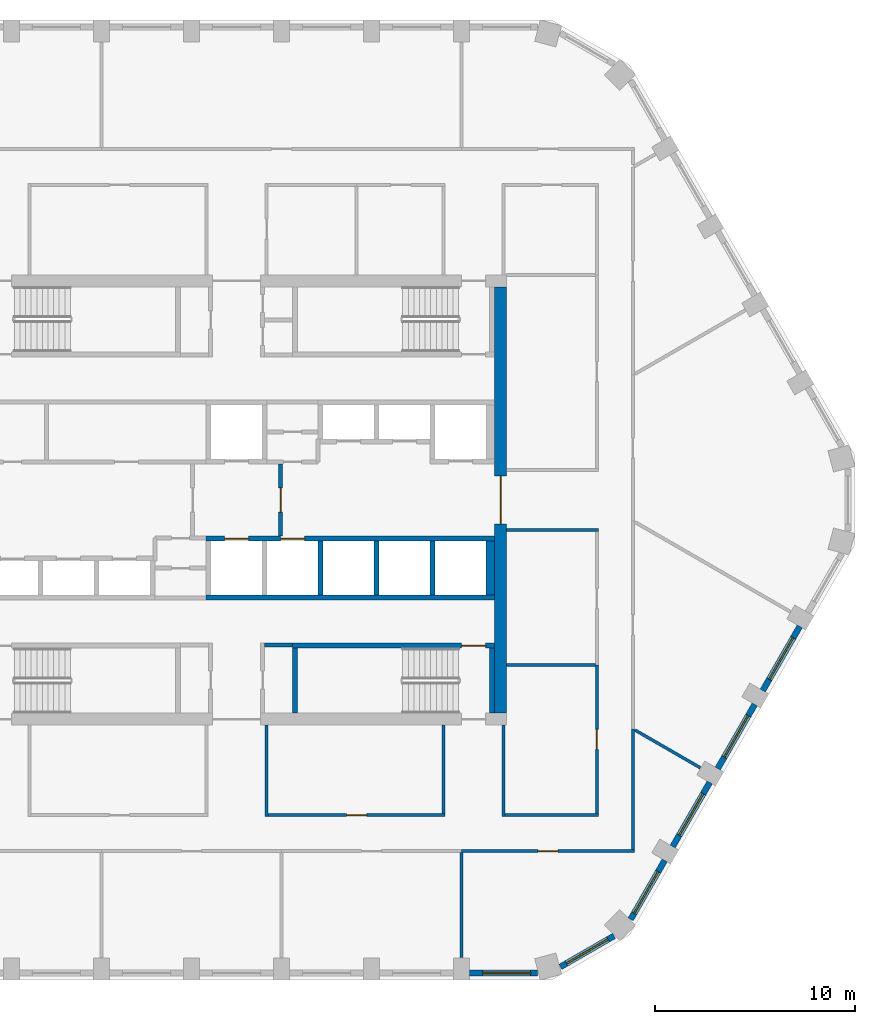
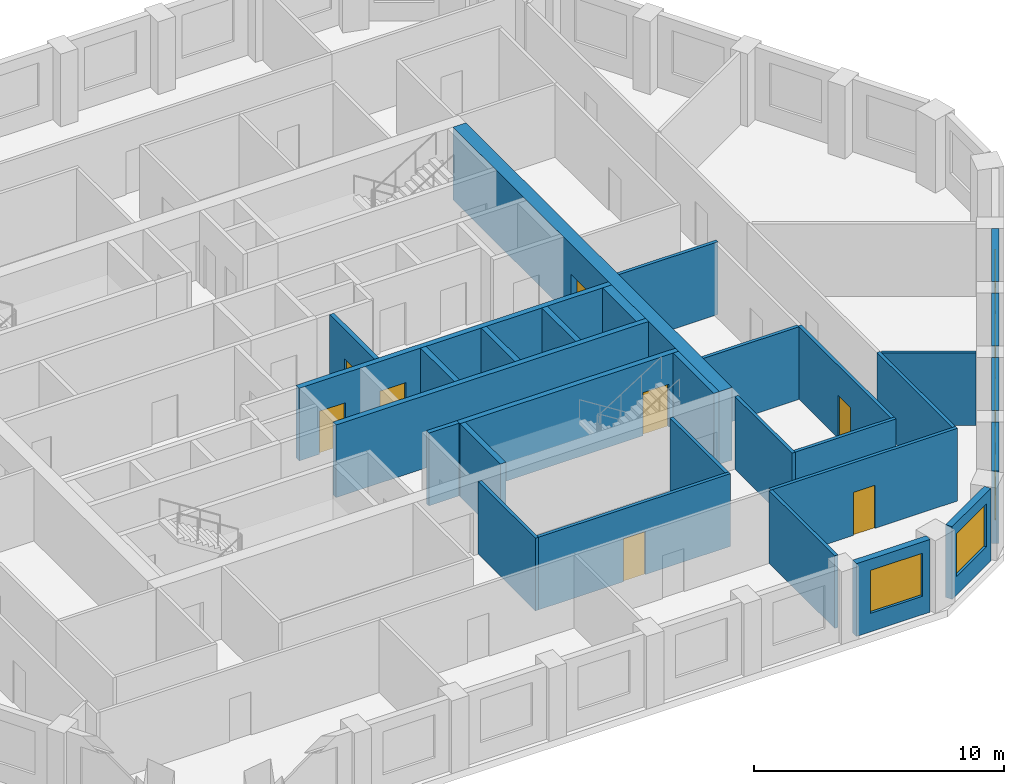
# One storey, part 4 of 9: 30 walls, 8 doors, 6 windows, 14 openings.
"""IFC4 building model written with IfcOpenShell, lengths in metres."""

import ifcopenshell
import ifcopenshell.guid

model = None  # the IFC model being written
_history = None  # IfcOwnerHistory: only IFC2X3 demands one
_inside = {}  # id of a spatial element -> (the spatial element, [elements in it])
_under = {}  # id of a project, library or spatial element -> (it, [spatial elements below it])
_declared = {}  # id of a project -> (the project, [libraries it declares])
_typed = {}  # id of a type object -> (the type object, [elements of that type])
_made_of = {}  # id of a material, layer set ... -> (it, [elements and type objects made of it])


def new_model(schema):
    """Start an empty IFC model of exactly this schema.

    Asked for "IFC4X3", IfcOpenShell would pick the latest addendum, in which some entities
    have other attributes; the version numbers below select the first issue.
    IFC2X3 requires an IfcOwnerHistory on every rooted entity: one is made here for all.
    """
    global model, _history
    if schema == "IFC4X3":
        model = ifcopenshell.file(schema_version=(4, 3, 0, 0))
    else:
        model = ifcopenshell.file(schema=schema)
    _inside.clear()
    _under.clear()
    _declared.clear()
    _typed.clear()
    _made_of.clear()
    _history = None
    if model.schema == "IFC2X3":
        org = make("IfcOrganization", Name="unknown")
        user = make(
            "IfcPersonAndOrganization",
            ThePerson=make("IfcPerson", FamilyName="unknown"),
            TheOrganization=org,
        )
        app = make(
            "IfcApplication",
            ApplicationDeveloper=org,
            Version="unknown",
            ApplicationFullName="unknown",
            ApplicationIdentifier="unknown",
        )
        _history = make(
            "IfcOwnerHistory",
            OwningUser=user,
            OwningApplication=app,
            ChangeAction="ADDED",
            CreationDate=0,
        )
    return model


def make(cls, **values):
    """One entity of the class cls with the attributes given. An attribute that is None is left unset."""
    return model.create_entity(
        cls, **{name: value for name, value in values.items() if value is not None}
    )


def rooted(cls, **values):
    """An entity with a GlobalId (a new one), such as an element, a storey or a relation."""
    return make(cls, GlobalId=ifcopenshell.guid.new(), OwnerHistory=_history, **values)


def si_unit(unit_type, name, prefix=None):
    """IfcSIUnit, for example si_unit("LENGTHUNIT", "METRE", prefix="MILLI")."""
    return make("IfcSIUnit", UnitType=unit_type, Prefix=prefix, Name=name)


def assignment(units):
    """IfcUnitAssignment: the units of a project."""
    return None if units is None else make("IfcUnitAssignment", Units=units)


def point(xyz):
    """IfcCartesianPoint."""
    return None if xyz is None else make("IfcCartesianPoint", Coordinates=xyz)


def direction(xyz):
    """IfcDirection."""
    return None if xyz is None else make("IfcDirection", DirectionRatios=xyz)


def frame(location, z_axis=None, x_axis=None):
    """IfcAxis2Placement3D, a coordinate frame: its origin and axes. An axis left out is left unset."""
    return make(
        "IfcAxis2Placement3D",
        Location=point(location),
        Axis=direction(z_axis),
        RefDirection=direction(x_axis),
    )


def frame_2d(location, x_axis=None):
    """IfcAxis2Placement2D, a coordinate frame in the plane: its origin and x axis."""
    return make(
        "IfcAxis2Placement2D", Location=point(location), RefDirection=direction(x_axis)
    )


def origin():
    """The frame at (0, 0, 0) with its axes left unset."""
    return frame((0.0, 0.0, 0.0))


def place(relative_to, where):
    """IfcLocalPlacement: puts the frame where relative to a parent placement (None: the world)."""
    return make(
        "IfcLocalPlacement", PlacementRelTo=relative_to, RelativePlacement=where
    )


def context(
    kind, dimensions, precision=None, world=None, true_north=None, identifier=None
):
    """IfcGeometricRepresentationContext, for example the 3D "Model" context."""
    return make(
        "IfcGeometricRepresentationContext",
        ContextIdentifier=identifier,
        ContextType=kind,
        CoordinateSpaceDimension=dimensions,
        Precision=precision,
        WorldCoordinateSystem=world,
        TrueNorth=true_north,
    )


def subcontext(parent, identifier, kind, view, scale=None):
    """IfcGeometricRepresentationSubContext, for example "Body" below "Model"."""
    return make(
        "IfcGeometricRepresentationSubContext",
        ContextIdentifier=identifier,
        ContextType=kind,
        ParentContext=parent,
        TargetScale=scale,
        TargetView=view,
    )


def project(units=None, contexts=None):
    """IfcProject with its units and contexts."""
    return rooted(
        "IfcProject",
        Name="project",
        RepresentationContexts=contexts,
        UnitsInContext=assignment(units),
    )


def spatial(cls, under=None, at=None, **own):
    """A site, building, storey or space (cls), placed at a placement, below another one or the project."""
    s = rooted(cls, ObjectPlacement=at, **own)
    if under is not None:
        _under.setdefault(under.id(), (under, []))[1].append(s)
    return s


def polyline(points):
    """IfcPolyline through the points."""
    return make("IfcPolyline", Points=[point(p) for p in points])


def profile(cls, at=None, kind="AREA", **sizes):
    """A parametric profile (cls). Its sizes go by their IFC names, for example OverallWidth=200.0."""
    return make(cls, ProfileType=kind, Position=at, **sizes)


def rectangle(**sizes):
    """IfcRectangleProfileDef."""
    return profile("IfcRectangleProfileDef", **sizes)


def outline(outer, holes=None, kind="AREA"):
    """IfcArbitraryClosedProfileDef: a profile drawn as a closed curve; with holes, ...WithVoids."""
    if holes is None:
        return make("IfcArbitraryClosedProfileDef", ProfileType=kind, OuterCurve=outer)
    return make(
        "IfcArbitraryProfileDefWithVoids",
        ProfileType=kind,
        OuterCurve=outer,
        InnerCurves=holes,
    )


def extrude(swept, where, along, depth):
    """IfcExtrudedAreaSolid: the profile swept, set in the frame where, extruded along a direction by depth."""
    return make(
        "IfcExtrudedAreaSolid",
        SweptArea=swept,
        Position=where,
        ExtrudedDirection=direction(along),
        Depth=depth,
    )


def shape(context_of_items, identifier, shape_type, items):
    """IfcShapeRepresentation: the items that make up one representation, for example the "Body"."""
    return make(
        "IfcShapeRepresentation",
        ContextOfItems=context_of_items,
        RepresentationIdentifier=identifier,
        RepresentationType=shape_type,
        Items=items,
    )


def material(Name=None, Category=None):
    """IfcMaterial."""
    return make("IfcMaterial", Name=Name, Category=Category)


def layer(
    of_material, thickness, ventilated=None, Name=None, Category=None, Priority=None
):
    """IfcMaterialLayer: one layer of a wall or slab, of a material (None: an air gap)."""
    return make(
        "IfcMaterialLayer",
        Material=of_material,
        LayerThickness=thickness,
        IsVentilated=ventilated,
        Name=Name,
        Category=Category,
        Priority=Priority,
    )


def layer_set(layers, Name=None):
    """IfcMaterialLayerSet."""
    return make("IfcMaterialLayerSet", MaterialLayers=layers, LayerSetName=Name)


def made_of(thing, what):
    """Note that an element or type object is made of a material, layer set ...; save() writes the relation."""
    if what is not None:
        _made_of.setdefault(what.id(), (what, []))[1].append(thing)
    return thing


def type_object(cls, material=None, **own):
    """A type object (cls), such as IfcWallType, which elements share."""
    return made_of(rooted(cls, **own), material)


def element(
    cls,
    number,
    at=None,
    inside=None,
    cuts=None,
    type_object=None,
    material=None,
    context=None,
    identifier="Body",
    shape_type=None,
    held_by="IfcProductDefinitionShape",
    body=None,
    shapes=None,
    **own,
):
    """One element of the class cls, such as IfcWall. Its Tag is "e" and its number.

    at: its placement. inside: the storey or other place that contains it. cuts: it is an
    opening in that element (IfcRelVoidsElement). A single representation is given by context,
    identifier, shape_type and body (its items); several are given by shapes. held_by: the class
    of the entity that holds the representations. save() writes the other relations.
    """
    e = rooted(cls, Tag="e%d" % number, ObjectPlacement=at, **own)
    if body is not None:
        shapes = [shape(context, identifier, shape_type, body)]
    if shapes is not None:
        e.Representation = make(held_by, Representations=shapes)
    if inside is not None:
        _inside.setdefault(inside.id(), (inside, []))[1].append(e)
    if cuts is not None:
        rooted(
            "IfcRelVoidsElement", RelatingBuildingElement=cuts, RelatedOpeningElement=e
        )
    if type_object is not None:
        _typed.setdefault(type_object.id(), (type_object, []))[1].append(e)
    return made_of(e, material)


def fill(opening, filler):
    """IfcRelFillsElement: the door or window that sits in an opening."""
    return rooted(
        "IfcRelFillsElement",
        RelatingOpeningElement=opening,
        RelatedBuildingElement=filler,
    )


def aggregate(whole, parts):
    """IfcRelAggregates: a whole, such as a stair, and the parts it consists of."""
    return rooted("IfcRelAggregates", RelatingObject=whole, RelatedObjects=parts)


def save(model, path):
    """Write the relations noted so far, then the file.

    IfcRelAggregates (storeys below a building ...), IfcRelContainedInSpatialStructure (elements
    in a storey), IfcRelDefinesByType, IfcRelAssociatesMaterial and IfcRelDeclares: one each for
    every whole, place, type object, material and project.
    """
    for whole, parts in _under.values():
        aggregate(whole, parts)
    for where, things in _inside.values():
        rooted(
            "IfcRelContainedInSpatialStructure",
            RelatedElements=things,
            RelatingStructure=where,
        )
    for kind, things in _typed.values():
        rooted("IfcRelDefinesByType", RelatedObjects=things, RelatingType=kind)
    for what, things in _made_of.values():
        rooted("IfcRelAssociatesMaterial", RelatedObjects=things, RelatingMaterial=what)
    for by, libraries in _declared.values():
        rooted("IfcRelDeclares", RelatingContext=by, RelatedDefinitions=libraries)
    model.write(path)


model = new_model("IFC4")

# Units and contexts
model_context = context("Model", 3, precision=1e-05, world=origin(), true_north=direction((0.0, 1.0)))
body_context = subcontext(model_context, "Body", "Model", "MODEL_VIEW")
ifc_project = project(units=[si_unit("LENGTHUNIT", "METRE"), si_unit("AREAUNIT", "SQUARE_METRE"), si_unit("VOLUMEUNIT", "CUBIC_METRE"), si_unit("PLANEANGLEUNIT", "RADIAN"), si_unit("MASSUNIT", "GRAM", prefix="KILO")], contexts=[model_context])

# Site, building, storey
site_placement = place(None, origin())
site = spatial("IfcSite", under=ifc_project, at=site_placement, CompositionType="ELEMENT")
building_placement = place(site_placement, origin())
building = spatial("IfcBuilding", under=site, at=building_placement, Name="Dhurran Vertical Campus", CompositionType="ELEMENT")
storey_placement = place(building_placement, frame((0.0, 0.0, 199.5)))
storey = spatial("IfcBuildingStorey", under=building, at=storey_placement, Name="L49", CompositionType="ELEMENT", Elevation=199.5)

# Wall, opening, window
ifc_material_1 = material(Name="Precast concrete C50/60", Category="concrete")
ifc_layer_1 = layer(ifc_material_1, 0.300048828125)
ifc_layer_set_1 = layer_set([ifc_layer_1], Name="Precast concrete C50/60")
wall_type_1 = type_object("IfcWallType", Name="Precast spandrel wall 300", PredefinedType="SOLIDWALL", material=ifc_layer_set_1)
wall_1_placement = place(storey_placement, frame((11.650390625, -23.635498046875, 0.0), z_axis=(0.0, 0.0, 1.0), x_axis=(1.0, 0.0, 0.0)))
wall_1 = element("IfcWall", 1, at=wall_1_placement, inside=storey, type_object=wall_type_1, Name="EW1 L49.06", PredefinedType="SOLIDWALL", context=body_context, shape_type="SweptSolid", body=[
    extrude(rectangle(XDim=3.39599609375, YDim=0.300048828125, at=frame_2d((1.697998046875, 0.0))), origin(), (0.0, 0.0, 1.0), 3.550048828125),
])
opening_1_placement = place(wall_1_placement, frame((0.6494140625, 0.0, 0.89990234375)))
opening_1 = element("IfcOpeningElement", 2, at=opening_1_placement, cuts=wall_1, Name="Opening WT1", PredefinedType="OPENING", context=body_context, shape_type="SweptSolid", body=[
    extrude(rectangle(XDim=2.39990234375, YDim=2.10009765625, at=frame_2d((1.199951171875, 1.050048828125))), frame((0.0, 0.159912109375, 0.0), z_axis=(0.0, -1.0, 0.0), x_axis=(1.0, 0.0, 0.0)), (0.0, 0.0, 1.0), 0.320068359375),
])
ifc_material_2 = material(Name="Aluminium frame with solar-control glass", Category="aluminium")
window_type = type_object("IfcWindowType", Name="Punched window 2400 x 2100", PartitioningType="SINGLE_PANEL", PredefinedType="WINDOW", material=ifc_material_2)
window_1_placement = place(opening_1_placement, origin())
window_1 = element("IfcWindow", 3, at=window_1_placement, inside=storey, type_object=window_type, Name="WT1 L49.06", OverallHeight=2.10009765625, OverallWidth=2.39990234375, PartitioningType="SINGLE_PANEL", PredefinedType="WINDOW", context=body_context, shape_type="SweptSolid", body=[
    extrude(rectangle(XDim=2.39990234375, YDim=2.10009765625, at=frame_2d((1.199951171875, 1.050048828125))), frame((0.0, 0.030029296875, 0.0), z_axis=(0.0, -1.0, 0.0), x_axis=(1.0, 0.0, 0.0)), (0.0, 0.0, 1.0), 0.06005859375),
])
fill(opening_1, window_1)

wall_2_placement = place(storey_placement, frame((16.184326171875, -23.330810546875, 0.0), z_axis=(0.0, 0.0, 1.0), x_axis=(0.865994975416, 0.500052699777, 0.0)))
wall_2 = element("IfcWall", 4, at=wall_2_placement, inside=storey, type_object=wall_type_1, Name="EW1 L49.07", PredefinedType="SOLIDWALL", context=body_context, shape_type="SweptSolid", body=[
    extrude(rectangle(XDim=3.093017578125, YDim=0.300048828125, at=frame_2d((1.54638671875, 0.0))), origin(), (0.0, 0.0, 1.0), 3.550048828125),
])
opening_2_placement = place(wall_2_placement, frame((0.346435546875, 0.0, 0.89990234375)))
opening_2 = element("IfcOpeningElement", 5, at=opening_2_placement, cuts=wall_2, Name="Opening WT1", PredefinedType="OPENING", context=body_context, shape_type="SweptSolid", body=[
    extrude(rectangle(XDim=2.39990234375, YDim=2.10009765625, at=frame_2d((1.199951171875, 1.050048828125))), frame((0.0, 0.159912109375, 0.0), z_axis=(0.0, -1.0, 0.0), x_axis=(1.0, 0.0, 0.0)), (0.0, 0.0, 1.0), 0.320068359375),
])
window_2_placement = place(opening_2_placement, origin())
window_2 = element("IfcWindow", 6, at=window_2_placement, inside=storey, type_object=window_type, Name="WT1 L49.07", OverallHeight=2.10009765625, OverallWidth=2.39990234375, PartitioningType="SINGLE_PANEL", PredefinedType="WINDOW", context=body_context, shape_type="SweptSolid", body=[
    extrude(rectangle(XDim=2.39990234375, YDim=2.10009765625, at=frame_2d((1.199951171875, 1.050048828125))), frame((0.0, 0.030029296875, 0.0), z_axis=(0.0, -1.0, 0.0), x_axis=(1.0, 0.0, 0.0)), (0.0, 0.0, 1.0), 0.06005859375),
])
fill(opening_2, window_2)

wall_3_placement = place(storey_placement, frame((19.69580078125, -20.951171875, 0.0), z_axis=(0.0, 0.0, 1.0), x_axis=(0.500012868213, 0.866017974191, 0.0)))
wall_3 = element("IfcWall", 7, at=wall_3_placement, inside=storey, type_object=wall_type_1, Name="EW1 L49.08", PredefinedType="SOLIDWALL", context=body_context, shape_type="SweptSolid", body=[
    extrude(rectangle(XDim=3.39599609375, YDim=0.300048828125, at=frame_2d((1.697998046875, 0.0))), origin(), (0.0, 0.0, 1.0), 3.550048828125),
])
opening_3_placement = place(wall_3_placement, frame((0.346435546875, 0.0, 0.89990234375)))
opening_3 = element("IfcOpeningElement", 8, at=opening_3_placement, cuts=wall_3, Name="Opening WT1", PredefinedType="OPENING", context=body_context, shape_type="SweptSolid", body=[
    extrude(rectangle(XDim=2.39990234375, YDim=2.10009765625, at=frame_2d((1.199951171875, 1.050048828125))), frame((0.0, 0.159912109375, 0.0), z_axis=(0.0, -1.0, 0.0), x_axis=(1.0, 0.0, 0.0)), (0.0, 0.0, 1.0), 0.320068359375),
])
window_3_placement = place(opening_3_placement, origin())
window_3 = element("IfcWindow", 9, at=window_3_placement, inside=storey, type_object=window_type, Name="WT1 L49.08", OverallHeight=2.10009765625, OverallWidth=2.39990234375, PartitioningType="SINGLE_PANEL", PredefinedType="WINDOW", context=body_context, shape_type="SweptSolid", body=[
    extrude(rectangle(XDim=2.39990234375, YDim=2.10009765625, at=frame_2d((1.199951171875, 1.050048828125))), frame((0.0, 0.030029296875, 0.0), z_axis=(0.0, -1.0, 0.0), x_axis=(1.0, 0.0, 0.0)), (0.0, 0.0, 1.0), 0.06005859375),
])
fill(opening_3, window_3)

wall_4_placement = place(storey_placement, frame((21.794189453125, -17.316650390625, 0.0), z_axis=(0.0, 0.0, 1.0), x_axis=(0.500029062817, 0.866008623709, 0.0)))
wall_4 = element("IfcWall", 10, at=wall_4_placement, inside=storey, type_object=wall_type_1, Name="EW1 L49.09", PredefinedType="SOLIDWALL", context=body_context, shape_type="SweptSolid", body=[
    extrude(rectangle(XDim=3.698974609375, YDim=0.300048828125, at=frame_2d((1.849609375, 0.0))), origin(), (0.0, 0.0, 1.0), 3.550048828125),
])
opening_4_placement = place(wall_4_placement, frame((0.6494140625, 0.0, 0.89990234375)))
opening_4 = element("IfcOpeningElement", 11, at=opening_4_placement, cuts=wall_4, Name="Opening WT1", PredefinedType="OPENING", context=body_context, shape_type="SweptSolid", body=[
    extrude(rectangle(XDim=2.39990234375, YDim=2.10009765625, at=frame_2d((1.199951171875, 1.050048828125))), frame((0.0, 0.159912109375, 0.0), z_axis=(0.0, -1.0, 0.0), x_axis=(1.0, 0.0, 0.0)), (0.0, 0.0, 1.0), 0.320068359375),
])
window_4_placement = place(opening_4_placement, origin())
window_4 = element("IfcWindow", 12, at=window_4_placement, inside=storey, type_object=window_type, Name="WT1 L49.09", OverallHeight=2.10009765625, OverallWidth=2.39990234375, PartitioningType="SINGLE_PANEL", PredefinedType="WINDOW", context=body_context, shape_type="SweptSolid", body=[
    extrude(rectangle(XDim=2.39990234375, YDim=2.10009765625, at=frame_2d((1.199951171875, 1.050048828125))), frame((0.0, 0.030029296875, 0.0), z_axis=(0.0, -1.0, 0.0), x_axis=(1.0, 0.0, 0.0)), (0.0, 0.0, 1.0), 0.06005859375),
])
fill(opening_4, window_4)

wall_5_placement = place(storey_placement, frame((24.044189453125, -13.41943359375, 0.0), z_axis=(0.0, 0.0, 1.0), x_axis=(0.500029062817, 0.866008623709, 0.0)))
wall_5 = element("IfcWall", 13, at=wall_5_placement, inside=storey, type_object=wall_type_1, Name="EW1 L49.10", PredefinedType="SOLIDWALL", context=body_context, shape_type="SweptSolid", body=[
    extrude(rectangle(XDim=3.698974609375, YDim=0.300048828125, at=frame_2d((1.849609375, 0.0))), origin(), (0.0, 0.0, 1.0), 3.550048828125),
])
opening_5_placement = place(wall_5_placement, frame((0.6494140625, 0.0, 0.89990234375)))
opening_5 = element("IfcOpeningElement", 14, at=opening_5_placement, cuts=wall_5, Name="Opening WT1", PredefinedType="OPENING", context=body_context, shape_type="SweptSolid", body=[
    extrude(rectangle(XDim=2.39990234375, YDim=2.10009765625, at=frame_2d((1.199951171875, 1.050048828125))), frame((0.0, 0.159912109375, 0.0), z_axis=(0.0, -1.0, 0.0), x_axis=(1.0, 0.0, 0.0)), (0.0, 0.0, 1.0), 0.320068359375),
])
window_5_placement = place(opening_5_placement, origin())
window_5 = element("IfcWindow", 15, at=window_5_placement, inside=storey, type_object=window_type, Name="WT1 L49.10", OverallHeight=2.10009765625, OverallWidth=2.39990234375, PartitioningType="SINGLE_PANEL", PredefinedType="WINDOW", context=body_context, shape_type="SweptSolid", body=[
    extrude(rectangle(XDim=2.39990234375, YDim=2.10009765625, at=frame_2d((1.199951171875, 1.050048828125))), frame((0.0, 0.030029296875, 0.0), z_axis=(0.0, -1.0, 0.0), x_axis=(1.0, 0.0, 0.0)), (0.0, 0.0, 1.0), 0.06005859375),
])
fill(opening_5, window_5)

wall_6_placement = place(storey_placement, frame((26.294189453125, -9.5224609375, 0.0), z_axis=(0.0, 0.0, 1.0), x_axis=(0.500029062817, 0.866008623709, 0.0)))
wall_6 = element("IfcWall", 16, at=wall_6_placement, inside=storey, type_object=wall_type_1, Name="EW1 L49.11", PredefinedType="SOLIDWALL", context=body_context, shape_type="SweptSolid", body=[
    extrude(rectangle(XDim=3.698974609375, YDim=0.300048828125, at=frame_2d((1.849609375, 0.0))), origin(), (0.0, 0.0, 1.0), 3.550048828125),
])
opening_6_placement = place(wall_6_placement, frame((0.6494140625, 0.0, 0.89990234375)))
opening_6 = element("IfcOpeningElement", 17, at=opening_6_placement, cuts=wall_6, Name="Opening WT1", PredefinedType="OPENING", context=body_context, shape_type="SweptSolid", body=[
    extrude(rectangle(XDim=2.39990234375, YDim=2.10009765625, at=frame_2d((1.199951171875, 1.050048828125))), frame((0.0, 0.159912109375, 0.0), z_axis=(0.0, -1.0, 0.0), x_axis=(1.0, 0.0, 0.0)), (0.0, 0.0, 1.0), 0.320068359375),
])
window_6_placement = place(opening_6_placement, origin())
window_6 = element("IfcWindow", 18, at=window_6_placement, inside=storey, type_object=window_type, Name="WT1 L49.11", OverallHeight=2.10009765625, OverallWidth=2.39990234375, PartitioningType="SINGLE_PANEL", PredefinedType="WINDOW", context=body_context, shape_type="SweptSolid", body=[
    extrude(rectangle(XDim=2.39990234375, YDim=2.10009765625, at=frame_2d((1.199951171875, 1.050048828125))), frame((0.0, 0.030029296875, 0.0), z_axis=(0.0, -1.0, 0.0), x_axis=(1.0, 0.0, 0.0)), (0.0, 0.0, 1.0), 0.06005859375),
])
fill(opening_6, window_6)

# Wall, opening, door
ifc_material_3 = material(Name="Concrete C50/60", Category="concrete")
ifc_layer_2 = layer(ifc_material_3, 0.60009765625)
ifc_layer_set_2 = layer_set([ifc_layer_2], Name="Concrete C50/60")
wall_type_2 = type_object("IfcWallType", Name="co-CORE-WALL-C2-600", PredefinedType="SHEAR", material=ifc_layer_set_2)
wall_7_placement = place(storey_placement, frame((13.199951171875, -10.64990234375, 0.0), z_axis=(0.0, 0.0, 1.0), x_axis=(0.0, 1.0, 0.0)))
wall_7 = element("IfcWall", 19, at=wall_7_placement, inside=storey, type_object=wall_type_2, Name="Core wall E L49", PredefinedType="SHEAR", context=body_context, shape_type="SweptSolid", body=[
    extrude(rectangle(XDim=21.2998046875, YDim=0.60009765625, at=frame_2d((10.64990234375, 0.0))), origin(), (0.0, 0.0, 1.0), 3.550048828125),
])
opening_7_placement = place(wall_7_placement, frame((9.449951171875, 0.0, 0.0)))
opening_7 = element("IfcOpeningElement", 20, at=opening_7_placement, cuts=wall_7, Name="Opening CL2", PredefinedType="OPENING", context=body_context, shape_type="SweptSolid", body=[
    extrude(rectangle(XDim=2.39990234375, YDim=2.10009765625, at=frame_2d((1.199951171875, 1.050048828125))), frame((0.0, 0.31005859375, 0.0), z_axis=(0.0, -1.0, 0.0), x_axis=(1.0, 0.0, 0.0)), (0.0, 0.0, 1.0), 0.6201171875),
])
ifc_material_4 = material(Name="Fire-rated glazed door set")
door_type_1 = type_object("IfcDoorType", Name="co-D-LOBBY 2400x2100", OperationType="DOUBLE_DOOR_DOUBLE_SWING", PredefinedType="DOOR", material=ifc_material_4)
door_1_placement = place(opening_7_placement, origin())
door_1 = element("IfcDoor", 21, at=door_1_placement, inside=storey, type_object=door_type_1, Name="Lift lobby door E L49", OperationType="DOUBLE_DOOR_DOUBLE_SWING", OverallHeight=2.10009765625, OverallWidth=2.39990234375, PredefinedType="DOOR", context=body_context, shape_type="SweptSolid", body=[
    extrude(rectangle(XDim=2.39990234375, YDim=2.10009765625, at=frame_2d((1.199951171875, 1.050048828125))), frame((0.0, 0.02490234375, 0.0), z_axis=(0.0, -1.0, 0.0), x_axis=(1.0, 0.0, 0.0)), (0.0, 0.0, 1.0), 0.050048828125),
])
fill(opening_7, door_1)

ifc_material_5 = material(Name="Fire-rated masonry blockwork", Category="masonry")
ifc_layer_3 = layer(ifc_material_5, 0.199951171875)
ifc_layer_set_3 = layer_set([ifc_layer_3], Name="Fire-rated masonry blockwork")
wall_type_3 = type_object("IfcWallType", Name="co-FIRE-PARTITION-200", PredefinedType="PARTITIONING", material=ifc_layer_set_3)
wall_8_placement = place(storey_placement, frame((2.199951171875, -1.800048828125, 0.0), z_axis=(0.0, 0.0, 1.0), x_axis=(0.0, 1.0, 0.0)))
wall_8 = element("IfcWall", 22, at=wall_8_placement, inside=storey, type_object=wall_type_3, Name="Firefighting lobby wall E L49", PredefinedType="PARTITIONING", context=body_context, shape_type="SweptSolid", body=[
    extrude(rectangle(XDim=3.60009765625, YDim=0.199951171875, at=frame_2d((1.800048828125, 0.0))), origin(), (0.0, 0.0, 1.0), 3.550048828125),
])
opening_8_placement = place(wall_8_placement, frame((1.199951171875, 0.0, 0.0)))
opening_8 = element("IfcOpeningElement", 23, at=opening_8_placement, cuts=wall_8, Name="Opening FL2", PredefinedType="OPENING", context=body_context, shape_type="SweptSolid", body=[
    extrude(rectangle(XDim=1.199951171875, YDim=2.10009765625, at=frame_2d((0.60009765625, 1.050048828125))), frame((0.0, 0.10986328125, 0.0), z_axis=(0.0, -1.0, 0.0), x_axis=(1.0, 0.0, 0.0)), (0.0, 0.0, 1.0), 0.219970703125),
])
ifc_material_6 = material(Name="Fire-rated steel door set", Category="steel")
door_type_2 = type_object("IfcDoorType", Name="co-D-FFLOBBY 1200x2100", OperationType="SINGLE_SWING_LEFT", PredefinedType="DOOR", material=ifc_material_6)
door_2_placement = place(opening_8_placement, origin())
door_2 = element("IfcDoor", 24, at=door_2_placement, inside=storey, type_object=door_type_2, Name="Firefighting lobby door E L49", OperationType="SINGLE_SWING_LEFT", OverallHeight=2.10009765625, OverallWidth=1.199951171875, PredefinedType="DOOR", context=body_context, shape_type="SweptSolid", body=[
    extrude(rectangle(XDim=1.199951171875, YDim=2.10009765625, at=frame_2d((0.60009765625, 1.050048828125))), frame((0.0, 0.02490234375, 0.0), z_axis=(0.0, -1.0, 0.0), x_axis=(1.0, 0.0, 0.0)), (0.0, 0.0, 1.0), 0.050048828125),
])
fill(opening_8, door_2)

# Wall
wall_9_placement = place(storey_placement, frame((1.39990234375, -7.25, 0.0), z_axis=(0.0, 0.0, 1.0), x_axis=(1.0, 0.0, 0.0)))
element("IfcWall", 25, at=wall_9_placement, inside=storey, type_object=wall_type_3, Name="Core partition sl-SE-S L49", PredefinedType="PARTITIONING", context=body_context, shape_type="SweptSolid", body=[
    extrude(rectangle(XDim=1.400146484375, YDim=0.199951171875, at=frame_2d((0.7001953125, 0.0))), origin(), (0.0, 0.0, 1.0), 3.550048828125),
])

# Wall, openings, doors
ifc_material_7 = material(Name="Concrete C50/60", Category="concrete")
ifc_layer_4 = layer(ifc_material_7, 0.25)
ifc_layer_set_4 = layer_set([ifc_layer_4], Name="Concrete C50/60")
wall_type_4 = type_object("IfcWallType", Name="co-SHAFT-FRONT-250", PredefinedType="SHEAR", material=ifc_layer_set_4)
wall_10_placement = place(storey_placement, frame((-1.52490234375, -1.925048828125, 0.0), z_axis=(0.0, 0.0, 1.0), x_axis=(1.0, 0.0, 0.0)))
wall_10 = element("IfcWall", 26, at=wall_10_placement, inside=storey, type_object=wall_type_4, Name="Lift landing wall S L49", PredefinedType="SHEAR", context=body_context, shape_type="SweptSolid", body=[
    extrude(rectangle(XDim=14.4248046875, YDim=0.25, at=frame_2d((7.21240234375, 0.0))), origin(), (0.0, 0.0, 1.0), 3.550048828125),
])
opening_9_placement = place(wall_10_placement, frame((0.925048828125, 0.0, 0.0)))
opening_9 = element("IfcOpeningElement", 27, at=opening_9_placement, cuts=wall_10, Name="Opening LD", PredefinedType="OPENING", context=body_context, shape_type="SweptSolid", body=[
    extrude(rectangle(XDim=1.199951171875, YDim=2.10009765625, at=frame_2d((0.60009765625, 1.050048828125))), frame((0.0, 0.135009765625, 0.0), z_axis=(0.0, -1.0, 0.0), x_axis=(1.0, 0.0, 0.0)), (0.0, 0.0, 1.0), 0.27001953125),
])
opening_10_placement = place(wall_10_placement, frame((3.72509765625, 0.0, 0.0)))
opening_10 = element("IfcOpeningElement", 28, at=opening_10_placement, cuts=wall_10, Name="Opening LD", PredefinedType="OPENING", context=body_context, shape_type="SweptSolid", body=[
    extrude(rectangle(XDim=1.199951171875, YDim=2.10009765625, at=frame_2d((0.60009765625, 1.050048828125))), frame((0.0, 0.135009765625, 0.0), z_axis=(0.0, -1.0, 0.0), x_axis=(1.0, 0.0, 0.0)), (0.0, 0.0, 1.0), 0.27001953125),
])
ifc_material_8 = material(Name="Stainless steel landing door", Category="steel")
door_type_3 = type_object("IfcDoorType", Name="co-D-LANDING 1200x2100", OperationType="DOUBLE_DOOR_SLIDING", PredefinedType="DOOR", material=ifc_material_8)
door_3_placement = place(opening_9_placement, origin())
door_3 = element("IfcDoor", 29, at=door_3_placement, inside=storey, type_object=door_type_3, Name="Landing door FF2 L49", OperationType="DOUBLE_DOOR_SLIDING", OverallHeight=2.10009765625, OverallWidth=1.199951171875, PredefinedType="DOOR", context=body_context, shape_type="SweptSolid", body=[
    extrude(rectangle(XDim=1.199951171875, YDim=2.10009765625, at=frame_2d((0.60009765625, 1.050048828125))), frame((0.0, 0.02490234375, 0.0), z_axis=(0.0, -1.0, 0.0), x_axis=(1.0, 0.0, 0.0)), (0.0, 0.0, 1.0), 0.050048828125),
])
fill(opening_9, door_3)
door_4_placement = place(opening_10_placement, origin())
door_4 = element("IfcDoor", 30, at=door_4_placement, inside=storey, type_object=door_type_3, Name="Landing door SV1 L49", OperationType="DOUBLE_DOOR_SLIDING", OverallHeight=2.10009765625, OverallWidth=1.199951171875, PredefinedType="DOOR", context=body_context, shape_type="SweptSolid", body=[
    extrude(rectangle(XDim=1.199951171875, YDim=2.10009765625, at=frame_2d((0.60009765625, 1.050048828125))), frame((0.0, 0.02490234375, 0.0), z_axis=(0.0, -1.0, 0.0), x_axis=(1.0, 0.0, 0.0)), (0.0, 0.0, 1.0), 0.050048828125),
])
fill(opening_10, door_4)

# Walls
ifc_material_9 = material(Name="Concrete C50/60", Category="concrete")
ifc_layer_5 = layer(ifc_material_9, 0.25)
ifc_layer_set_5 = layer_set([ifc_layer_5], Name="Concrete C50/60")
wall_type_5 = type_object("IfcWallType", Name="co-SHAFT-MASS-250", PredefinedType="SHEAR", material=ifc_layer_set_5)
wall_11_placement = place(storey_placement, origin())
element("IfcWall", 31, at=wall_11_placement, inside=storey, type_object=wall_type_5, Name="Lift shaft wall S L49 2", PredefinedType="SHEAR", context=body_context, shape_type="SweptSolid", body=[
    extrude(outline(polyline([(-1.52490234375, -5.0), (12.89990234375, -5.0), (12.89990234375, -4.75), (-1.52490234375, -4.75), (-1.52490234375, -5.0)])), origin(), (0.0, 0.0, 1.0), 3.550048828125),
])
wall_12_placement = place(storey_placement, origin())
element("IfcWall", 32, at=wall_12_placement, inside=storey, type_object=wall_type_5, Name="Lift shaft wall S L49 9", PredefinedType="SHEAR", context=body_context, shape_type="SweptSolid", body=[
    extrude(outline(polyline([(4.074951171875, -4.75), (4.324951171875, -4.75), (4.324951171875, -2.050048828125), (4.074951171875, -2.050048828125), (4.074951171875, -4.75)])), origin(), (0.0, 0.0, 1.0), 3.550048828125),
])
wall_13_placement = place(storey_placement, origin())
element("IfcWall", 33, at=wall_13_placement, inside=storey, type_object=wall_type_5, Name="Lift shaft wall S L49 10", PredefinedType="SHEAR", context=body_context, shape_type="SweptSolid", body=[
    extrude(outline(polyline([(6.875, -4.75), (7.125, -4.75), (7.125, -2.050048828125), (6.875, -2.050048828125), (6.875, -4.75)])), origin(), (0.0, 0.0, 1.0), 3.550048828125),
])
wall_14_placement = place(storey_placement, origin())
element("IfcWall", 34, at=wall_14_placement, inside=storey, type_object=wall_type_5, Name="Lift shaft wall S L49 11", PredefinedType="SHEAR", context=body_context, shape_type="SweptSolid", body=[
    extrude(outline(polyline([(9.675048828125, -4.75), (9.925048828125, -4.75), (9.925048828125, -2.050048828125), (9.675048828125, -2.050048828125), (9.675048828125, -4.75)])), origin(), (0.0, 0.0, 1.0), 3.550048828125),
])
wall_15_placement = place(storey_placement, origin())
element("IfcWall", 35, at=wall_15_placement, inside=storey, type_object=wall_type_5, Name="Lift shaft wall S L49 12", PredefinedType="SHEAR", context=body_context, shape_type="SweptSolid", body=[
    extrude(outline(polyline([(12.47509765625, -4.75), (12.89990234375, -4.75), (12.89990234375, -2.050048828125), (12.47509765625, -2.050048828125), (12.47509765625, -4.75)])), origin(), (0.0, 0.0, 1.0), 3.550048828125),
])

# Wall, opening, door
ifc_material_10 = material(Name="Concrete C40/50", Category="concrete")
ifc_layer_6 = layer(ifc_material_10, 0.25)
ifc_layer_set_6 = layer_set([ifc_layer_6], Name="Concrete C40/50")
wall_type_6 = type_object("IfcWallType", Name="co-STAIR-WALL-250", PredefinedType="SHEAR", material=ifc_layer_set_6)
wall_16_placement = place(storey_placement, frame((2.800048828125, -7.27490234375, 0.0), z_axis=(0.0, 0.0, 1.0), x_axis=(1.0, 0.0, 0.0)))
wall_16 = element("IfcWall", 36, at=wall_16_placement, inside=storey, type_object=wall_type_6, Name="Stair ST4 enclosure wall L49", PredefinedType="SHEAR", context=body_context, shape_type="SweptSolid", body=[
    extrude(rectangle(XDim=10.099853515625, YDim=0.25, at=frame_2d((5.0498046875, 0.0))), origin(), (0.0, 0.0, 1.0), 3.550048828125),
])
opening_11_placement = place(wall_16_placement, frame((8.449951171875, 0.0, 0.0)))
opening_11 = element("IfcOpeningElement", 37, at=opening_11_placement, cuts=wall_16, Name="Opening SD4", PredefinedType="OPENING", context=body_context, shape_type="SweptSolid", body=[
    extrude(rectangle(XDim=1.199951171875, YDim=2.10009765625, at=frame_2d((0.60009765625, 1.050048828125))), frame((0.0, 0.135009765625, 0.0), z_axis=(0.0, -1.0, 0.0), x_axis=(1.0, 0.0, 0.0)), (0.0, 0.0, 1.0), 0.27001953125),
])
ifc_material_11 = material(Name="Fire-rated steel door set", Category="steel")
door_type_4 = type_object("IfcDoorType", Name="co-D-STAIR 1200x2100", OperationType="SINGLE_SWING_LEFT", PredefinedType="DOOR", material=ifc_material_11)
door_5_placement = place(opening_11_placement, origin())
door_5 = element("IfcDoor", 38, at=door_5_placement, inside=storey, type_object=door_type_4, Name="Stair ST4 door L49", OperationType="SINGLE_SWING_LEFT", OverallHeight=2.10009765625, OverallWidth=1.199951171875, PredefinedType="DOOR", context=body_context, shape_type="SweptSolid", body=[
    extrude(rectangle(XDim=1.199951171875, YDim=2.10009765625, at=frame_2d((0.60009765625, 1.050048828125))), frame((0.0, 0.02490234375, 0.0), z_axis=(0.0, -1.0, 0.0), x_axis=(1.0, 0.0, 0.0)), (0.0, 0.0, 1.0), 0.050048828125),
])
fill(opening_11, door_5)

# Walls
for number, where, z_axis, x_axis, name in (
    (39, (2.925048828125, -10.64990234375, 0.0), (0.0, 0.0, 1.0), (0.0, 1.0, 0.0), "Stair ST4 enclosure wall L49"),
    (40, (12.77490234375, -10.64990234375, 0.0), (0.0, 0.0, 1.0), (0.0, 1.0, 0.0), "Stair ST4 enclosure wall L49"),
):
    element("IfcWall", number, at=place(storey_placement, frame(where, z_axis=z_axis, x_axis=x_axis)), inside=storey, type_object=wall_type_6, Name=name, PredefinedType="SHEAR", context=body_context, shape_type="SweptSolid", body=[
        extrude(rectangle(XDim=3.25, YDim=0.25, at=frame_2d((1.625, 0.0))), origin(), (0.0, 0.0, 1.0), 3.550048828125),
    ])
ifc_material_12 = material(Name="Gypsum board corridor wall on steel studs", Category="steel")
ifc_layer_7 = layer(ifc_material_12, 0.14990234375)
ifc_layer_set_7 = layer_set([ifc_layer_7], Name="Gypsum board corridor wall on steel studs")
wall_type_7 = type_object("IfcWallType", Name="fl-CW-150 corridor wall", PredefinedType="PARTITIONING", material=ifc_layer_set_7)
wall_17_placement = place(storey_placement, frame((1.5, -15.824951171875, 0.0), z_axis=(0.0, 0.0, 1.0), x_axis=(0.0, 1.0, 0.0)))
element("IfcWall", 41, at=wall_17_placement, inside=storey, type_object=wall_type_7, Name="Partition 49-36", PredefinedType="PARTITIONING", context=body_context, shape_type="SweptSolid", body=[
    extrude(rectangle(XDim=4.574951171875, YDim=0.14990234375, at=frame_2d((2.28759765625, 0.0))), origin(), (0.0, 0.0, 1.0), 3.550048828125),
])

# Wall, opening, door
wall_18_placement = place(storey_placement, frame((10.425048828125, -15.75, 0.0), z_axis=(0.0, 0.0, 1.0), x_axis=(-1.0, 0.0, 0.0)))
wall_18 = element("IfcWall", 42, at=wall_18_placement, inside=storey, type_object=wall_type_7, Name="Partition 49-37", PredefinedType="PARTITIONING", context=body_context, shape_type="SweptSolid", body=[
    extrude(rectangle(XDim=8.85009765625, YDim=0.14990234375, at=frame_2d((4.425048828125, 0.0))), origin(), (0.0, 0.0, 1.0), 3.550048828125),
])
opening_12_placement = place(wall_18_placement, frame((3.925048828125, 0.0, 0.0)))
opening_12 = element("IfcOpeningElement", 43, at=opening_12_placement, cuts=wall_18, Name="Opening T14.16", PredefinedType="OPENING", context=body_context, shape_type="SweptSolid", body=[
    extrude(rectangle(XDim=1.0, YDim=2.10009765625, at=frame_2d((0.5, 1.050048828125))), frame((0.0, 0.0849609375, 0.0), z_axis=(0.0, -1.0, 0.0), x_axis=(1.0, 0.0, 0.0)), (0.0, 0.0, 1.0), 0.169921875),
])
ifc_material_13 = material(Name="Solid-core timber door set, fire-rated", Category="wood")
door_type_5 = type_object("IfcDoorType", Name="fl-D-1000x2100", OperationType="SINGLE_SWING_LEFT", PredefinedType="DOOR", material=ifc_material_13)
door_6_placement = place(opening_12_placement, origin())
door_6 = element("IfcDoor", 44, at=door_6_placement, inside=storey, type_object=door_type_5, Name="Door 49.16", OperationType="SINGLE_SWING_RIGHT", OverallHeight=2.10009765625, OverallWidth=1.0, PredefinedType="DOOR", context=body_context, shape_type="SweptSolid", body=[
    extrude(rectangle(XDim=1.0, YDim=2.10009765625, at=frame_2d((0.5, 1.050048828125))), frame((0.0, 0.02490234375, 0.0), z_axis=(0.0, -1.0, 0.0), x_axis=(1.0, 0.0, 0.0)), (0.0, 0.0, 1.0), 0.050048828125),
])
fill(opening_12, door_6)

# Wall
wall_19_placement = place(storey_placement, frame((10.35009765625, -11.25, 0.0), z_axis=(0.0, 0.0, 1.0), x_axis=(0.0, -1.0, 0.0)))
element("IfcWall", 45, at=wall_19_placement, inside=storey, type_object=wall_type_7, Name="Partition 49-44", PredefinedType="PARTITIONING", context=body_context, shape_type="SweptSolid", body=[
    extrude(rectangle(XDim=4.425048828125, YDim=0.14990234375, at=frame_2d((2.21240234375, 0.0))), origin(), (0.0, 0.0, 1.0), 3.550048828125),
])

# Wall, opening, door
wall_20_placement = place(storey_placement, frame((11.25, -17.550048828125, 0.0), z_axis=(0.0, 0.0, 1.0), x_axis=(1.0, 0.0, 0.0)))
wall_20 = element("IfcWall", 46, at=wall_20_placement, inside=storey, type_object=wall_type_7, Name="Partition 49-47", PredefinedType="PARTITIONING", context=body_context, shape_type="SweptSolid", body=[
    extrude(rectangle(XDim=8.625, YDim=0.14990234375, at=frame_2d((4.3125, 0.0))), origin(), (0.0, 0.0, 1.0), 3.550048828125),
])
opening_13_placement = place(wall_20_placement, frame((3.8125, 0.0, 0.0)))
opening_13 = element("IfcOpeningElement", 47, at=opening_13_placement, cuts=wall_20, Name="Opening T14.24", PredefinedType="OPENING", context=body_context, shape_type="SweptSolid", body=[
    extrude(rectangle(XDim=1.0, YDim=2.10009765625, at=frame_2d((0.5, 1.050048828125))), frame((0.0, 0.0849609375, 0.0), z_axis=(0.0, -1.0, 0.0), x_axis=(1.0, 0.0, 0.0)), (0.0, 0.0, 1.0), 0.169921875),
])
door_7_placement = place(opening_13_placement, origin())
door_7 = element("IfcDoor", 48, at=door_7_placement, inside=storey, type_object=door_type_5, Name="Door 49.24", OperationType="SINGLE_SWING_RIGHT", OverallHeight=2.10009765625, OverallWidth=1.0, PredefinedType="DOOR", context=body_context, shape_type="SweptSolid", body=[
    extrude(rectangle(XDim=1.0, YDim=2.10009765625, at=frame_2d((0.5, 1.050048828125))), frame((0.0, 0.02490234375, 0.0), z_axis=(0.0, -1.0, 0.0), x_axis=(1.0, 0.0, 0.0)), (0.0, 0.0, 1.0), 0.050048828125),
])
fill(opening_13, door_7)

# Walls
wall_21_placement = place(storey_placement, frame((13.35009765625, -15.824951171875, 0.0), z_axis=(0.0, 0.0, 1.0), x_axis=(0.0, 1.0, 0.0)))
element("IfcWall", 49, at=wall_21_placement, inside=storey, type_object=wall_type_7, Name="Partition 49-50", PredefinedType="PARTITIONING", context=body_context, shape_type="SweptSolid", body=[
    extrude(rectangle(XDim=4.574951171875, YDim=0.14990234375, at=frame_2d((2.28759765625, 0.0))), origin(), (0.0, 0.0, 1.0), 3.550048828125),
])
wall_22_placement = place(storey_placement, frame((18.074951171875, -15.75, 0.0), z_axis=(0.0, 0.0, 1.0), x_axis=(-1.0, 0.0, 0.0)))
element("IfcWall", 50, at=wall_22_placement, inside=storey, type_object=wall_type_7, Name="Partition 49-51", PredefinedType="PARTITIONING", context=body_context, shape_type="SweptSolid", body=[
    extrude(rectangle(XDim=4.64990234375, YDim=0.14990234375, at=frame_2d((2.324951171875, 0.0))), origin(), (0.0, 0.0, 1.0), 3.550048828125),
])
wall_23_placement = place(storey_placement, frame((13.5, -1.5, 0.0), z_axis=(0.0, 0.0, 1.0), x_axis=(1.0, 0.0, 0.0)))
element("IfcWall", 51, at=wall_23_placement, inside=storey, type_object=wall_type_7, Name="Partition 49-55", PredefinedType="PARTITIONING", context=body_context, shape_type="SweptSolid", body=[
    extrude(rectangle(XDim=4.574951171875, YDim=0.14990234375, at=frame_2d((2.28759765625, 0.0))), origin(), (0.0, 0.0, 1.0), 3.550048828125),
])

# Wall, opening, door
wall_24_placement = place(storey_placement, frame((18.0, -8.25, 0.0), z_axis=(0.0, 0.0, 1.0), x_axis=(0.0, -1.0, 0.0)))
wall_24 = element("IfcWall", 52, at=wall_24_placement, inside=storey, type_object=wall_type_7, Name="Partition 49-58", PredefinedType="PARTITIONING", context=body_context, shape_type="SweptSolid", body=[
    extrude(rectangle(XDim=7.425048828125, YDim=0.14990234375, at=frame_2d((3.71240234375, 0.0))), origin(), (0.0, 0.0, 1.0), 3.550048828125),
])
opening_14_placement = place(wall_24_placement, frame((3.21240234375, 0.0, 0.0)))
opening_14 = element("IfcOpeningElement", 53, at=opening_14_placement, cuts=wall_24, Name="Opening T14.21", PredefinedType="OPENING", context=body_context, shape_type="SweptSolid", body=[
    extrude(rectangle(XDim=1.0, YDim=2.10009765625, at=frame_2d((0.5, 1.050048828125))), frame((0.0, 0.0849609375, 0.0), z_axis=(0.0, -1.0, 0.0), x_axis=(1.0, 0.0, 0.0)), (0.0, 0.0, 1.0), 0.169921875),
])
door_8_placement = place(opening_14_placement, origin())
door_8 = element("IfcDoor", 54, at=door_8_placement, inside=storey, type_object=door_type_5, Name="Door 49.21", OperationType="SINGLE_SWING_RIGHT", OverallHeight=2.10009765625, OverallWidth=1.0, PredefinedType="DOOR", context=body_context, shape_type="SweptSolid", body=[
    extrude(rectangle(XDim=1.0, YDim=2.10009765625, at=frame_2d((0.5, 1.050048828125))), frame((0.0, 0.02490234375, 0.0), z_axis=(0.0, -1.0, 0.0), x_axis=(1.0, 0.0, 0.0)), (0.0, 0.0, 1.0), 0.050048828125),
])
fill(opening_14, door_8)

# Walls
wall_25_placement = place(storey_placement, frame((19.800048828125, -17.47509765625, 0.0), z_axis=(0.0, 0.0, 1.0), x_axis=(0.0, 1.0, 0.0)))
element("IfcWall", 55, at=wall_25_placement, inside=storey, type_object=wall_type_7, Name="Partition 49-62", PredefinedType="PARTITIONING", context=body_context, shape_type="SweptSolid", body=[
    extrude(rectangle(XDim=6.043212890625, YDim=0.14990234375, at=frame_2d((3.021484375, 0.0))), origin(), (0.0, 0.0, 1.0), 3.550048828125),
])
ifc_material_14 = material(Name="Gypsum board partition on steel studs", Category="steel")
ifc_layer_8 = layer(ifc_material_14, 0.14990234375)
ifc_layer_set_8 = layer_set([ifc_layer_8], Name="Gypsum board partition on steel studs")
wall_type_8 = type_object("IfcWallType", Name="fl-PW-150 fixed partition", PredefinedType="PARTITIONING", material=ifc_layer_set_8)
wall_26_placement = place(storey_placement, frame((11.25, -17.625, 0.0), z_axis=(0.0, 0.0, 1.0), x_axis=(0.0, -1.0, 0.0)))
element("IfcWall", 56, at=wall_26_placement, inside=storey, type_object=wall_type_8, Name="Partition 49-46", PredefinedType="PARTITIONING", context=body_context, shape_type="SweptSolid", body=[
    extrude(rectangle(XDim=5.240478515625, YDim=0.14990234375, at=frame_2d((2.6201171875, 0.0))), origin(), (0.0, 0.0, 1.0), 3.550048828125),
])
wall_27_placement = place(storey_placement, frame((13.5, -8.25, 0.0), z_axis=(0.0, 0.0, 1.0), x_axis=(1.0, 0.0, 0.0)))
element("IfcWall", 57, at=wall_27_placement, inside=storey, type_object=wall_type_8, Name="Partition 49-54", PredefinedType="PARTITIONING", context=body_context, shape_type="SweptSolid", body=[
    extrude(rectangle(XDim=4.425048828125, YDim=0.14990234375, at=frame_2d((2.21240234375, 0.0))), origin(), (0.0, 0.0, 1.0), 3.550048828125),
])
wall_28_placement = place(storey_placement, frame((19.91259765625, -11.4970703125, 0.0), z_axis=(0.0, 0.0, 1.0), x_axis=(0.866090681374, -0.499886918849, 0.0)))
element("IfcWall", 58, at=wall_28_placement, inside=storey, type_object=wall_type_8, Name="Partition 49-64", PredefinedType="PARTITIONING", context=body_context, shape_type="SweptSolid", body=[
    extrude(rectangle(XDim=3.769287109375, YDim=0.14990234375, at=frame_2d((1.884765625, 0.0))), origin(), (0.0, 0.0, 1.0), 3.550048828125),
])

save(model, "model.ifc")
